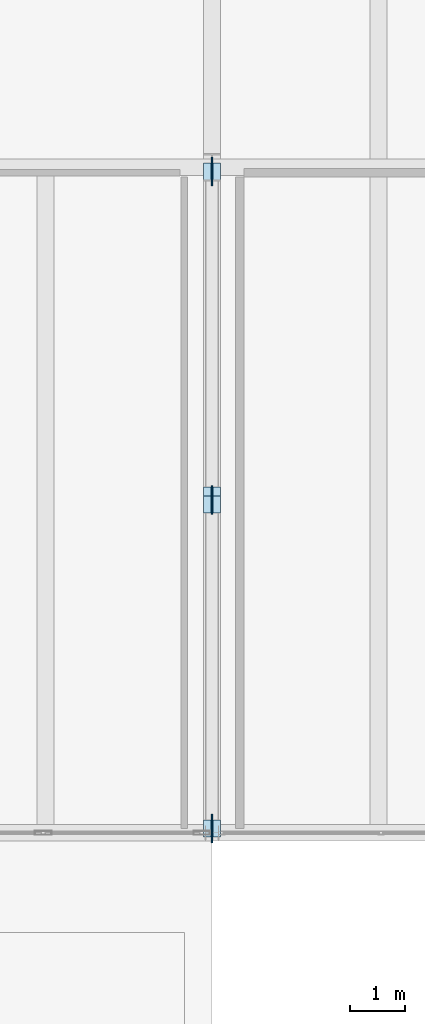
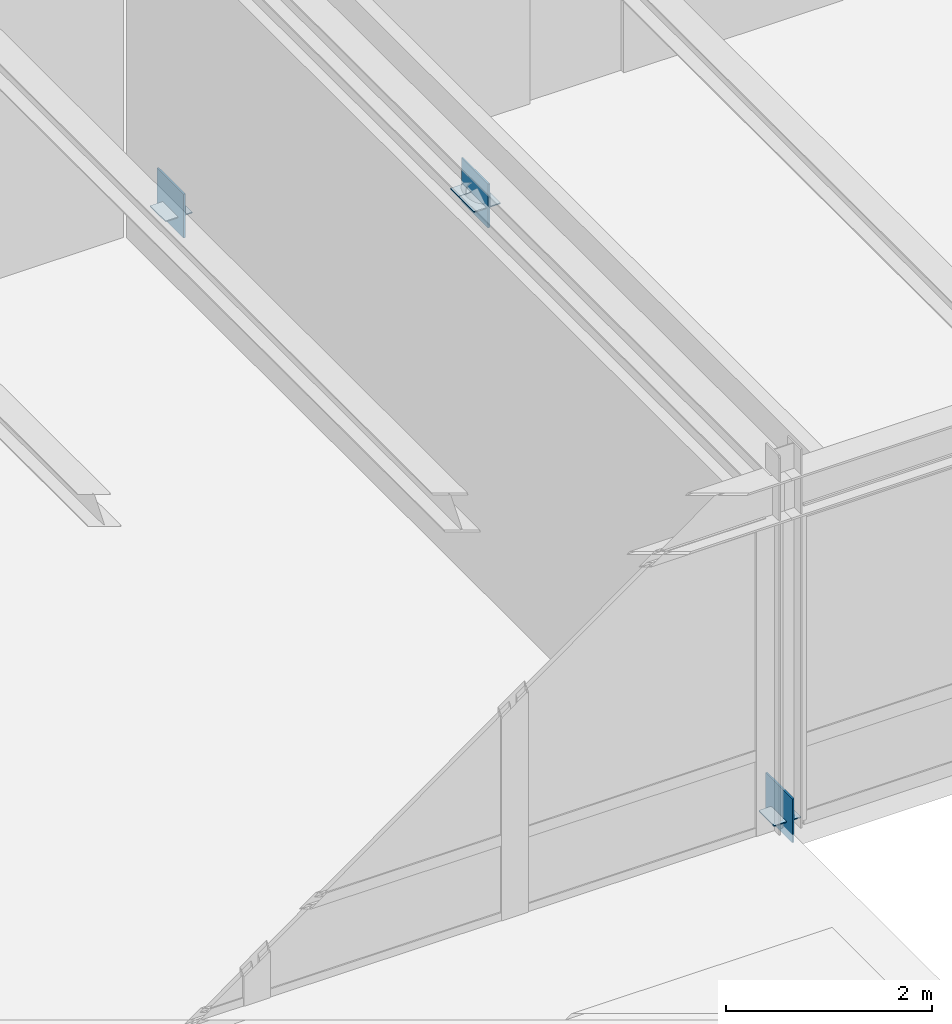
# One storey, part 127 of 142: 7 plates.
"""IFC4 building model written with IfcOpenShell, lengths in metres."""

from ifc_helpers import new_model, si_unit, direction, frame, origin, origin_2d, place, context, subcontext, project, spatial, rectangle, extrude, material, layer, layer_set, type_object, element, save


model = new_model("IFC4")

# Units and contexts
model_context = context("Model", 3, precision=1e-05, world=origin(), true_north=direction((0.0, 1.0)))
body_context = subcontext(model_context, "Body", "Model", "MODEL_VIEW")
ifc_project = project(units=[si_unit("LENGTHUNIT", "METRE"), si_unit("AREAUNIT", "SQUARE_METRE"), si_unit("VOLUMEUNIT", "CUBIC_METRE"), si_unit("PLANEANGLEUNIT", "RADIAN"), si_unit("MASSUNIT", "GRAM", prefix="KILO")], contexts=[model_context])

# Site, building, storey
site_placement = place(None, origin())
site = spatial("IfcSite", under=ifc_project, at=site_placement, CompositionType="ELEMENT")
building_placement = place(site_placement, origin())
building = spatial("IfcBuilding", under=site, at=building_placement, Name="Montelvaro Courts of Justice", CompositionType="ELEMENT")
storey_placement = place(building_placement, frame((0.0, 0.0, 14.39990234375)))
storey = spatial("IfcBuildingStorey", under=building, at=storey_placement, Name="L03", CompositionType="ELEMENT", Elevation=14.39990234375)

# Plates
ifc_material = material(Name="Steel S355", Category="steel")
ifc_layer_1 = layer(ifc_material, 0.011962890625)
ifc_layer_set_1 = layer_set([ifc_layer_1], Name="Steel S355")
plate_type_1 = type_object("IfcPlateType", Name="EndCapPlate_12", PredefinedType="USERDEFINED", material=ifc_layer_set_1)
for number, where, z_axis, x_axis, name in (
    (1, (126.0, 66.080078125, 0.07421875), (0.0, 0.0, 1.0), (1.0, 0.0, 0.0), "Brace End Cap Plate CP-01 CBF3-L03-1A"),
    (2, (126.0, 71.919921875, 3.82421875), (0.0, 0.0, 1.0), (1.0, 0.0, 0.0), "Brace End Cap Plate CP-01 CBF3-L03-1B"),
    (3, (126.0, 77.919921875, 0.07421875), (0.0, 0.0, 1.0), (1.0, 0.0, 0.0), "Brace End Cap Plate CP-01 CBF3-L03-2A"),
    (4, (126.0, 72.080078125, 3.82421875), (0.0, 0.0, 1.0), (1.0, 0.0, 0.0), "Brace End Cap Plate CP-01 CBF3-L03-2B"),
):
    element("IfcPlate", number, at=place(storey_placement, frame(where, z_axis=z_axis, x_axis=x_axis)), inside=storey, type_object=plate_type_1, Name=name, ObjectType="GUSSET PLATE", PredefinedType="USERDEFINED", context=body_context, shape_type="SweptSolid", body=[
        extrude(rectangle(XDim=0.300048828125, YDim=0.300048828125, at=origin_2d()), origin(), (0.0, 0.0, 1.0), 0.011962890625),
    ])
ifc_layer_2 = layer(ifc_material, 0.02001953125)
ifc_layer_set_2 = layer_set([ifc_layer_2], Name="Steel S355")
plate_type_2 = type_object("IfcPlateType", Name="GussetPlate_20", PredefinedType="USERDEFINED", material=ifc_layer_set_2)
for number, where, z_axis, x_axis, name in (
    (5, (126.0, 66.080078125, -0.099853515625), (0.0, 0.0, 1.0), (1.0, 0.0, 0.0), "Chevron Brace Base Gusset Plate GP-01 CBF3-L03-B1"),
    (6, (126.0, 77.919921875, -0.099853515625), (0.0, 0.0, 1.0), (1.0, 0.0, 0.0), "Chevron Brace Base Gusset Plate GP-01 CBF3-L03-B2"),
    (7, (126.0, 72.0, 3.610107421875), (0.0, 0.0, 1.0), (1.0, 0.0, 0.0), "Chevron Brace Gusset Plate GP-01 CBF3-L03"),
):
    element("IfcPlate", number, at=place(storey_placement, frame(where, z_axis=z_axis, x_axis=x_axis)), inside=storey, type_object=plate_type_2, Name=name, ObjectType="GUSSET PLATE", PredefinedType="USERDEFINED", context=body_context, shape_type="SweptSolid", body=[
        extrude(rectangle(XDim=0.02001953125, YDim=0.52001953125, at=origin_2d()), origin(), (0.0, 0.0, 1.0), 0.52001953125),
    ])

save(model, "model.ifc")
